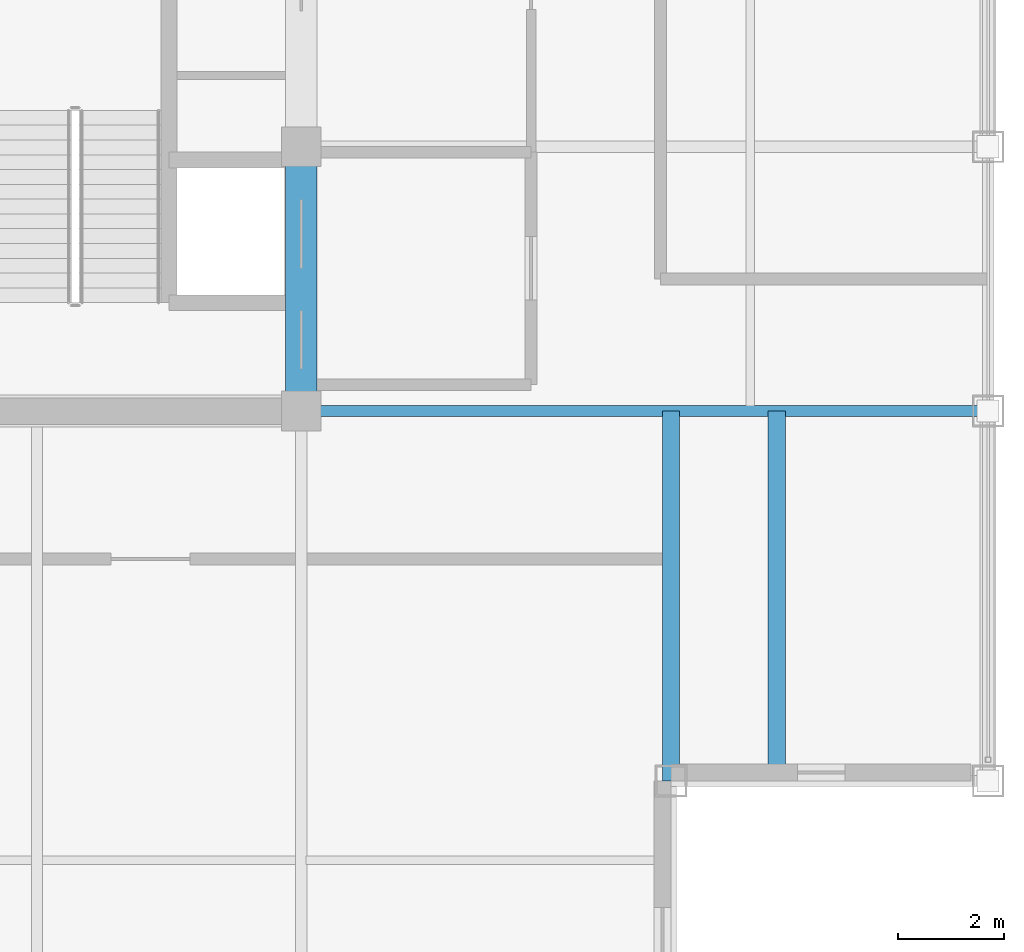
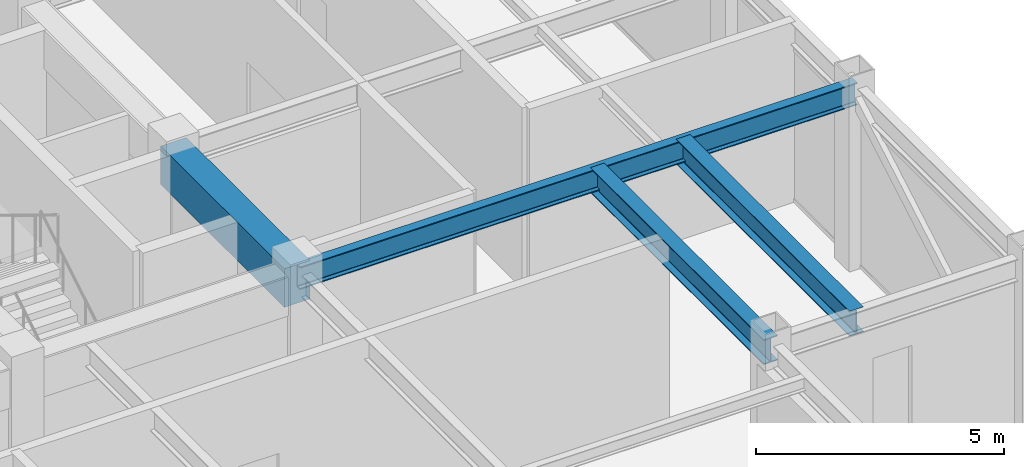
# One storey, part 9 of 27: 4 beams.
"""IFC4 building model written with IfcOpenShell, lengths in metres."""

from ifc_helpers import new_model, si_unit, direction, frame, origin, origin_2d, place, context, subcontext, project, spatial, rectangle, i_section, extrude, source, transform, mapped, material, material_profile, profile_set, type_object, element, save


model = new_model("IFC4")

# Units and contexts
model_context = context("Model", 3, precision=1e-05, world=origin(), true_north=direction((0.0, 1.0)))
body_context = subcontext(model_context, "Body", "Model", "MODEL_VIEW")
ifc_project = project(units=[si_unit("LENGTHUNIT", "METRE"), si_unit("AREAUNIT", "SQUARE_METRE"), si_unit("VOLUMEUNIT", "CUBIC_METRE"), si_unit("PLANEANGLEUNIT", "RADIAN"), si_unit("MASSUNIT", "GRAM", prefix="KILO")], contexts=[model_context])

# Site, building, storey
site_placement = place(None, origin())
site = spatial("IfcSite", under=ifc_project, at=site_placement, CompositionType="ELEMENT")
building_placement = place(site_placement, origin())
building = spatial("IfcBuilding", under=site, at=building_placement, Name="Khorayat Bourse Tower", CompositionType="ELEMENT")
storey_placement = place(building_placement, frame((0.0, 0.0, 389.89990234375)))
storey = spatial("IfcBuildingStorey", under=building, at=storey_placement, Name="L92", CompositionType="ELEMENT", Elevation=389.89990234375)

# Beams
ifc_material_1 = material(Name="Concrete C60/75", Category="concrete")
ifc_material_profile_1 = material_profile(ifc_material_1, rectangle(XDim=0.60009765625, YDim=0.949951171875, at=origin_2d()), Name="RC 600x950")
ifc_profile_set_1 = profile_set([ifc_material_profile_1], Name="Concrete C60/75")
beam_type_1 = type_object("IfcBeamType", Name="BM-COUP-950", PredefinedType="BEAM", material=ifc_profile_set_1)
shared_shape_1 = source(origin(), body_context, "Body", "SweptSolid", [
    extrude(rectangle(XDim=0.60009765625, YDim=0.949951171875, at=origin_2d()), origin(), (0.0, 0.0, 1.0), 5.0),
])
beam_1_placement = place(storey_placement, frame((11.0, -11.0, 3.97509765625), z_axis=(0.0, 1.0, 0.0), x_axis=(-1.0, 0.0, 0.0)))
element("IfcBeam", 1, at=beam_1_placement, inside=storey, type_object=beam_type_1, Name="L92 BM-COUP-950 BM-L92-CRX-13", PredefinedType="BEAM", context=body_context, shape_type="MappedRepresentation", body=[
    mapped(shared_shape_1, transform((0.0, 0.0, 0.0), scale=1.0)),
])
ifc_material_2 = material(Name="Steel ASTM A992 Grade 50", Category="steel")
ifc_material_profile_2 = material_profile(ifc_material_2, i_section(OverallWidth=0.214111328125, OverallDepth=0.549072265625, WebThickness=0.0146484375, FlangeThickness=0.023681640625, FilletRadius=0.013916015625, at=origin_2d()), Name="W530X138")
ifc_profile_set_2 = profile_set([ifc_material_profile_2], Name="Steel ASTM A992 Grade 50")
beam_type_2 = type_object("IfcBeamType", Name="BM-GIRD-530", PredefinedType="BEAM", material=ifc_profile_set_2)
shared_shape_2 = source(origin(), body_context, "Body", "SweptSolid", [
    extrude(i_section(OverallWidth=0.214111328125, OverallDepth=0.549072265625, WebThickness=0.0146484375, FlangeThickness=0.023681640625, FilletRadius=0.013916015625, at=origin_2d()), origin(), (0.0, 0.0, 1.0), 13.0),
])
beam_2_placement = place(storey_placement, frame((11.0, -11.0, 4.175537109375), z_axis=(1.0, 0.0, 0.0), x_axis=(0.0, 1.0, 0.0)))
element("IfcBeam", 2, at=beam_2_placement, inside=storey, type_object=beam_type_2, Name="L92 BM-GIRD-530 BM-L92-RADX-066", PredefinedType="BEAM", context=body_context, shape_type="MappedRepresentation", body=[
    mapped(shared_shape_2, transform((0.0, 0.0, 0.0), scale=1.0)),
])
ifc_material_profile_3 = material_profile(ifc_material_2, i_section(OverallWidth=0.324951171875, OverallDepth=0.615966796875, WebThickness=0.013916015625, FlangeThickness=0.021484375, FilletRadius=0.01611328125, at=origin_2d()), Name="W610X174")
ifc_profile_set_3 = profile_set([ifc_material_profile_3], Name="Steel ASTM A992 Grade 50")
beam_type_3 = type_object("IfcBeamType", Name="BM-GIRD-610", PredefinedType="BEAM", material=ifc_profile_set_3)
shared_shape_3 = source(origin(), body_context, "Body", "SweptSolid", [
    extrude(i_section(OverallWidth=0.324951171875, OverallDepth=0.615966796875, WebThickness=0.013916015625, FlangeThickness=0.021484375, FilletRadius=0.01611328125, at=origin_2d()), origin(), (0.0, 0.0, 1.0), 7.0),
])
for number, where, z_axis, x_axis, name in (
    (3, (18.0, -18.0, 4.14208984375), (0.0, 1.0, 0.0), (-1.0, 0.0, 0.0), "L92 BM-GIRD-610 BM-L92-CNRY-078"),
    (4, (20.0, -18.0, 4.14208984375), (0.0, 1.0, 0.0), (-1.0, 0.0, 0.0), "L92 BM-GIRD-610 BM-L92-CNRY-082"),
):
    element("IfcBeam", number, at=place(storey_placement, frame(where, z_axis=z_axis, x_axis=x_axis)), inside=storey, type_object=beam_type_3, Name=name, PredefinedType="BEAM", context=body_context, shape_type="MappedRepresentation", body=[
        mapped(shared_shape_3, transform((0.0, 0.0, 0.0), scale=1.0)),
    ])

save(model, "model.ifc")
